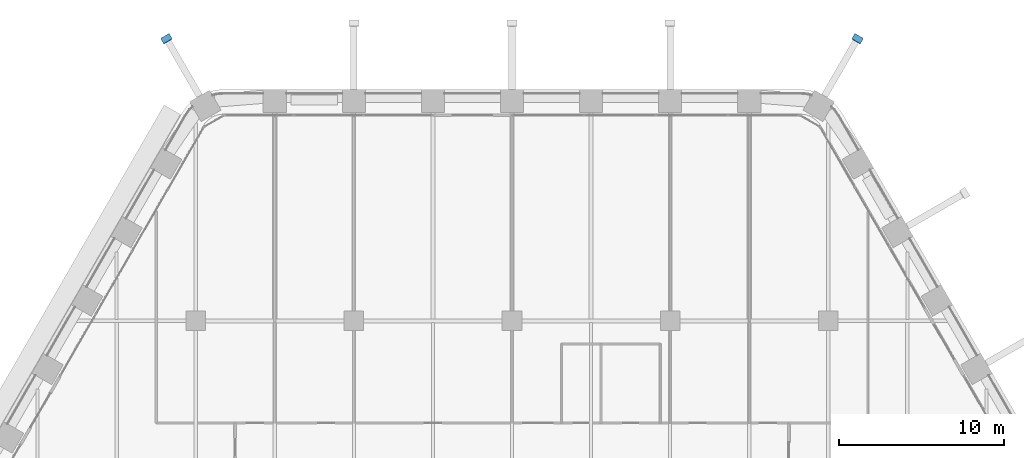
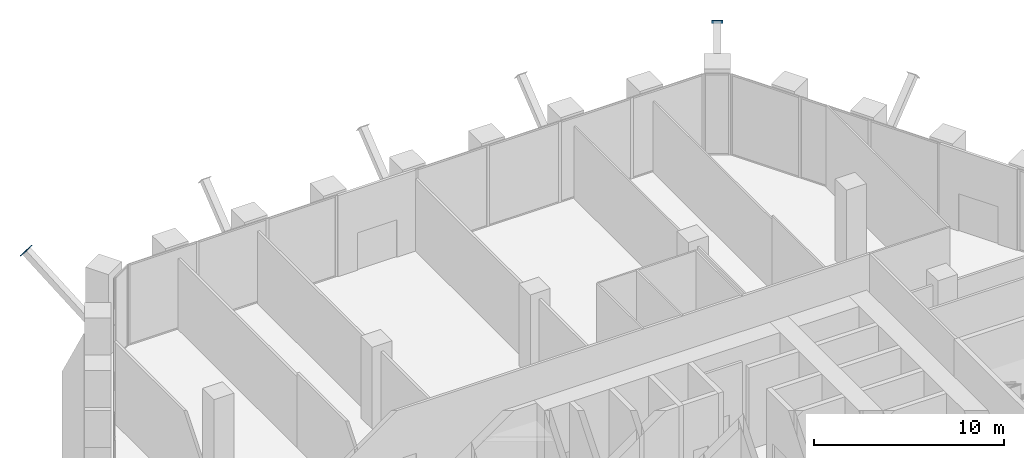
# One storey, part 26 of 29: 2 discrete accessories.
"""IFC4 building model written with IfcOpenShell, lengths in metres."""

from ifc_helpers import new_model, si_unit, direction, frame, origin, origin_2d, place, context, subcontext, project, spatial, rectangle, extrude, element, save


model = new_model("IFC4")

# Units and contexts
model_context = context("Model", 3, precision=1e-05, world=origin(), true_north=direction((0.0, 1.0)))
body_context = subcontext(model_context, "Body", "Model", "MODEL_VIEW")
ifc_project = project(units=[si_unit("LENGTHUNIT", "METRE"), si_unit("AREAUNIT", "SQUARE_METRE"), si_unit("VOLUMEUNIT", "CUBIC_METRE"), si_unit("PLANEANGLEUNIT", "RADIAN"), si_unit("MASSUNIT", "GRAM", prefix="KILO")], contexts=[model_context])

# Site, building, storey
site_placement = place(None, origin())
site = spatial("IfcSite", under=ifc_project, at=site_placement, CompositionType="ELEMENT")
building_placement = place(site_placement, origin())
building = spatial("IfcBuilding", under=site, at=building_placement, Name="Kolab Exchange Tower", CompositionType="ELEMENT")
storey_placement = place(building_placement, frame((0.0, 0.0, 33.39990234375)))
storey = spatial("IfcBuildingStorey", under=building, at=storey_placement, Name="L06", CompositionType="ELEMENT", Elevation=33.39990234375)

# Discrete accessories
for number, where, z_axis, x_axis, name in (
    (1, (-20.968017578125, 36.317626953125, 4.468017578125), (-0.391161801238, 0.674754107136, 0.625858881981), (-0.865140001465, -0.501530435632, 0.0), "Gusset plate"),
    (2, (20.968017578125, 36.317626953125, 4.468017578125), (0.391161801238, 0.674754107136, 0.625858881981), (-0.865140001465, 0.501530435632, 0.0), "Gusset plate"),
):
    element("IfcDiscreteAccessory", number, at=place(storey_placement, frame(where, z_axis=z_axis, x_axis=x_axis)), inside=storey, Name=name, ObjectType="GUSSET PLATE", PredefinedType="USERDEFINED", context=body_context, shape_type="SweptSolid", body=[
        extrude(rectangle(XDim=0.60009765625, YDim=0.60009765625, at=origin_2d()), origin(), (0.0, 0.0, 1.0), 0.02490234375),
    ])

save(model, "model.ifc")
